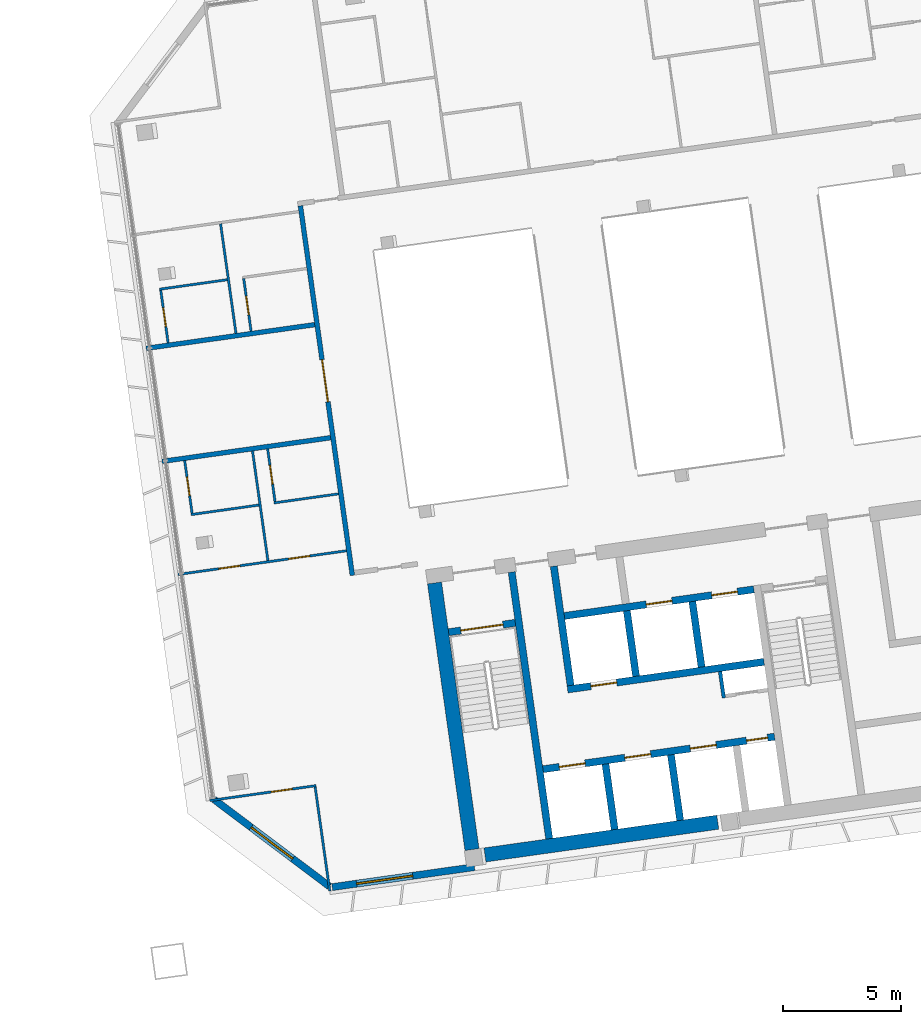
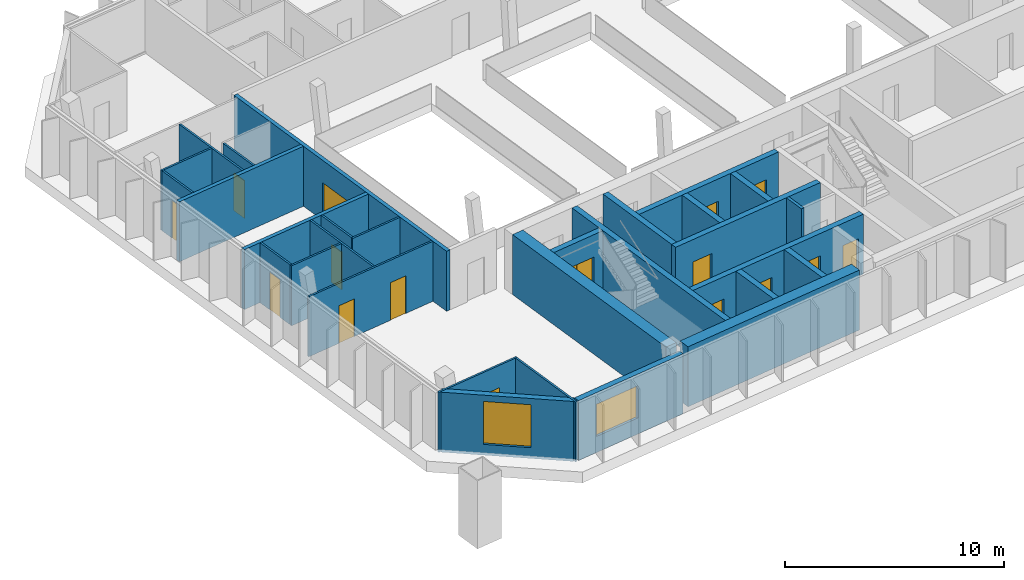
# One storey, part 17 of 23: 30 walls, 16 doors, 2 windows, 18 openings.
"""IFC4 building model written with IfcOpenShell, lengths in metres."""

from ifc_helpers import new_model, si_unit, direction, frame, frame_2d, origin, place, context, subcontext, project, spatial, rectangle, extrude, material, layer, layer_set, type_object, element, fill, save


model = new_model("IFC4")

# Units and contexts
model_context = context("Model", 3, precision=1e-05, world=origin(), true_north=direction((0.0, 1.0)))
body_context = subcontext(model_context, "Body", "Model", "MODEL_VIEW")
ifc_project = project(units=[si_unit("LENGTHUNIT", "METRE"), si_unit("AREAUNIT", "SQUARE_METRE"), si_unit("VOLUMEUNIT", "CUBIC_METRE"), si_unit("PLANEANGLEUNIT", "RADIAN"), si_unit("MASSUNIT", "GRAM", prefix="KILO")], contexts=[model_context])

# Site, building, storey
site_placement = place(None, origin())
site = spatial("IfcSite", under=ifc_project, at=site_placement, CompositionType="ELEMENT")
building_placement = place(site_placement, origin())
building = spatial("IfcBuilding", under=site, at=building_placement, Name="Mirante Cascada Hotel Towers", CompositionType="ELEMENT")
storey_placement = place(building_placement, frame((0.0, 0.0, 220.4)))
storey = spatial("IfcBuildingStorey", under=building, at=storey_placement, Name="L52", CompositionType="ELEMENT", Elevation=220.4)

# Walls
ifc_material_1 = material(Name="Fire-rated plasterboard on metal studs")
ifc_layer_1 = layer(ifc_material_1, 0.2)
ifc_layer_set_1 = layer_set([ifc_layer_1], Name="Compartment wall 200 EI 120")
wall_type_1 = type_object("IfcWallType", Name="Compartment wall 200 EI 120", PredefinedType="PARTITIONING", material=ifc_layer_set_1)
wall_1_placement = place(storey_placement, frame((24.4481, -2.7803, 0.0), z_axis=(0.0, 0.0, 1.0), x_axis=(0.990267, 0.1391811, 0.0)))
element("IfcWall", 1, at=wall_1_placement, inside=storey, type_object=wall_type_1, Name="Wall 2-L52-09", PredefinedType="PARTITIONING", context=body_context, shape_type="SweptSolid", body=[
    extrude(rectangle(XDim=7.2064, YDim=0.2, at=frame_2d((3.6032, 0.0))), origin(), (0.0, 0.0, 1.0), 3.35),
])
wall_2_placement = place(storey_placement, frame((30.9118, 3.0089, 0.0), z_axis=(0.0, 0.0, 1.0), x_axis=(-0.9902691, -0.1391655, 0.0)))
element("IfcWall", 2, at=wall_2_placement, inside=storey, type_object=wall_type_1, Name="Wall 2-L52-10", PredefinedType="PARTITIONING", context=body_context, shape_type="SweptSolid", body=[
    extrude(rectangle(XDim=7.2065, YDim=0.2, at=frame_2d((3.6032, 0.0))), origin(), (0.0, 0.0, 1.0), 3.35),
])

# Wall, opening, door
wall_3_placement = place(storey_placement, frame((30.3056, 8.0402, 0.0), z_axis=(0.0, 0.0, 1.0), x_axis=(0.1391774, -0.9902675, 0.0)))
wall_3 = element("IfcWall", 3, at=wall_3_placement, inside=storey, type_object=wall_type_1, Name="Wall 2-L52-36", PredefinedType="PARTITIONING", context=body_context, shape_type="SweptSolid", body=[
    extrude(rectangle(XDim=15.8, YDim=0.2, at=frame_2d((7.9, 0.0))), origin(), (0.0, 0.0, 1.0), 3.35),
])
opening_1_placement = place(wall_3_placement, frame((6.5834, 0.0, 0.0)))
opening_1 = element("IfcOpeningElement", 4, at=opening_1_placement, cuts=wall_3, Name="Opening D2-L52-24", PredefinedType="OPENING", context=body_context, shape_type="SweptSolid", body=[
    extrude(rectangle(XDim=1.8, YDim=2.1, at=frame_2d((0.9, 1.05))), frame((0.0, 0.1, 0.0), z_axis=(0.0, -1.0, 0.0), x_axis=(1.0, 0.0, 0.0)), (0.0, 0.0, 1.0), 0.2),
])
ifc_material_2 = material(Name="Fire-rated timber door leaf", Category="wood")
door_type_1 = type_object("IfcDoorType", Name="Suite double door DG2 1800x2100 EI 60", OperationType="DOUBLE_DOOR_SINGLE_SWING", PredefinedType="DOOR", material=ifc_material_2)
door_1_placement = place(opening_1_placement, origin())
door_1 = element("IfcDoor", 5, at=door_1_placement, inside=storey, type_object=door_type_1, Name="Door D2-L52-24", OperationType="DOUBLE_DOOR_SINGLE_SWING", OverallHeight=2.1, OverallWidth=1.8, PredefinedType="DOOR", context=body_context, shape_type="SweptSolid", body=[
    extrude(rectangle(XDim=0.895, YDim=2.1, at=frame_2d((0.4475, 1.05))), frame((0.0, 0.025, 0.0), z_axis=(0.0, -1.0, 0.0), x_axis=(1.0, 0.0, 0.0)), (0.0, 0.0, 1.0), 0.05),
    extrude(rectangle(XDim=0.895, YDim=2.1, at=frame_2d((1.3525, 1.05))), frame((0.0, 0.025, 0.0), z_axis=(0.0, -1.0, 0.0), x_axis=(1.0, 0.0, 0.0)), (0.0, 0.0, 1.0), 0.05),
])
fill(opening_1, door_1)

# Wall
ifc_material_3 = material(Name="Masonry block", Category="masonry")
ifc_layer_2 = layer(ifc_material_3, 0.15)
ifc_layer_set_2 = layer_set([ifc_layer_2], Name="Core room partition 150 block EI 30")
wall_type_2 = type_object("IfcWallType", Name="Core room partition 150 block EI 30", PredefinedType="PARTITIONING", material=ifc_layer_set_2)
wall_4_placement = place(storey_placement, frame((48.2295, -12.793, 0.0), z_axis=(0.0, 0.0, 1.0), x_axis=(-0.1391935, 0.9902652, 0.0)))
element("IfcWall", 6, at=wall_4_placement, inside=storey, type_object=wall_type_2, Name="Core wall partition T2 L52 2", PredefinedType="PARTITIONING", context=body_context, shape_type="SweptSolid", body=[
    extrude(rectangle(XDim=1.1251, YDim=0.15, at=frame_2d((0.5626, 0.0))), origin(), (0.0, 0.0, 1.0), 3.35),
])

# Wall, opening, door
ifc_material_4 = material(Name="Plasterboard on metal studs")
ifc_layer_3 = layer(ifc_material_4, 0.1)
ifc_layer_set_3 = layer_set([ifc_layer_3], Name="Partition 100")
wall_type_3 = type_object("IfcWallType", Name="Partition 100", PredefinedType="PARTITIONING", material=ifc_layer_set_3)
wall_5_placement = place(storey_placement, frame((26.4661, -17.1392, 0.0), z_axis=(0.0, 0.0, 1.0), x_axis=(0.9902661, 0.1391871, 0.0)))
wall_5 = element("IfcWall", 7, at=wall_5_placement, inside=storey, type_object=wall_type_3, Name="Wall 2-L52-01", PredefinedType="PARTITIONING", context=body_context, shape_type="SweptSolid", body=[
    extrude(rectangle(XDim=4.55, YDim=0.1, at=frame_2d((2.275, 0.0))), origin(), (0.0, 0.0, 1.0), 3.35),
])
opening_2_placement = place(wall_5_placement, frame((2.6326, 0.0, 0.0)))
opening_2 = element("IfcOpeningElement", 8, at=opening_2_placement, cuts=wall_5, Name="Opening D2-L52-01", PredefinedType="OPENING", context=body_context, shape_type="SweptSolid", body=[
    extrude(rectangle(XDim=0.9, YDim=2.1, at=frame_2d((0.45, 1.05))), frame((0.0, 0.05, 0.0), z_axis=(0.0, -1.0, 0.0), x_axis=(1.0, 0.0, 0.0)), (0.0, 0.0, 1.0), 0.1),
])
ifc_material_5 = material(Name="Timber door leaf", Category="wood")
door_type_2 = type_object("IfcDoorType", Name="Room door DG3 900x2100", OperationType="SINGLE_SWING_LEFT", PredefinedType="DOOR", material=ifc_material_5)
door_2_placement = place(opening_2_placement, origin())
door_2 = element("IfcDoor", 9, at=door_2_placement, inside=storey, type_object=door_type_2, Name="Door D2-L52-01", OperationType="SINGLE_SWING_LEFT", OverallHeight=2.1, OverallWidth=0.9, PredefinedType="DOOR", context=body_context, shape_type="SweptSolid", body=[
    extrude(rectangle(XDim=0.9, YDim=2.1, at=frame_2d((0.45, 1.05))), frame((0.0, 0.025, 0.0), z_axis=(0.0, -1.0, 0.0), x_axis=(1.0, 0.0, 0.0)), (0.0, 0.0, 1.0), 0.05),
])
fill(opening_2, door_2)

# Wall, openings, doors
wall_6_placement = place(storey_placement, frame((25.1207, -7.5665, 0.0), z_axis=(0.0, 0.0, 1.0), x_axis=(0.9902691, 0.1391655, 0.0)))
wall_6 = element("IfcWall", 10, at=wall_6_placement, inside=storey, type_object=wall_type_3, Name="Wall 2-L52-05", PredefinedType="PARTITIONING", context=body_context, shape_type="SweptSolid", body=[
    extrude(rectangle(XDim=7.2065, YDim=0.1, at=frame_2d((3.6032, 0.0))), origin(), (0.0, 0.0, 1.0), 3.35),
])
opening_3_placement = place(wall_6_placement, frame((1.75, 0.0, 0.0)))
opening_3 = element("IfcOpeningElement", 11, at=opening_3_placement, cuts=wall_6, Name="Opening D2-L52-03", PredefinedType="OPENING", context=body_context, shape_type="SweptSolid", body=[
    extrude(rectangle(XDim=0.9, YDim=2.1, at=frame_2d((0.45, 1.05))), frame((0.0, 0.05, 0.0), z_axis=(0.0, -1.0, 0.0), x_axis=(1.0, 0.0, 0.0)), (0.0, 0.0, 1.0), 0.1),
])
opening_4_placement = place(wall_6_placement, frame((4.7299, 0.0, 0.0)))
opening_4 = element("IfcOpeningElement", 12, at=opening_4_placement, cuts=wall_6, Name="Opening D2-L52-04", PredefinedType="OPENING", context=body_context, shape_type="SweptSolid", body=[
    extrude(rectangle(XDim=0.9, YDim=2.1, at=frame_2d((0.45, 1.05))), frame((0.0, 0.05, 0.0), z_axis=(0.0, -1.0, 0.0), x_axis=(1.0, 0.0, 0.0)), (0.0, 0.0, 1.0), 0.1),
])
door_3_placement = place(opening_3_placement, frame((0.9, 0.0, 0.0), z_axis=(0.0, 0.0, 1.0), x_axis=(-1.0, 0.0, 0.0)))
door_3 = element("IfcDoor", 13, at=door_3_placement, inside=storey, type_object=door_type_2, Name="Door D2-L52-03", OperationType="SINGLE_SWING_RIGHT", OverallHeight=2.1, OverallWidth=0.9, PredefinedType="DOOR", context=body_context, shape_type="SweptSolid", body=[
    extrude(rectangle(XDim=0.9, YDim=2.1, at=frame_2d((0.45, 1.05))), frame((0.0, 0.025, 0.0), z_axis=(0.0, -1.0, 0.0), x_axis=(1.0, 0.0, 0.0)), (0.0, 0.0, 1.0), 0.05),
])
fill(opening_3, door_3)
door_4_placement = place(opening_4_placement, frame((0.9, 0.0, 0.0), z_axis=(0.0, 0.0, 1.0), x_axis=(-1.0, 0.0, 0.0)))
door_4 = element("IfcDoor", 14, at=door_4_placement, inside=storey, type_object=door_type_2, Name="Door D2-L52-04", OperationType="SINGLE_SWING_RIGHT", OverallHeight=2.1, OverallWidth=0.9, PredefinedType="DOOR", context=body_context, shape_type="SweptSolid", body=[
    extrude(rectangle(XDim=0.9, YDim=2.1, at=frame_2d((0.45, 1.05))), frame((0.0, 0.025, 0.0), z_axis=(0.0, -1.0, 0.0), x_axis=(1.0, 0.0, 0.0)), (0.0, 0.0, 1.0), 0.05),
])
fill(opening_4, door_4)

# Walls
wall_7_placement = place(storey_placement, frame((25.6765, -5.0312, 0.0), z_axis=(0.0, 0.0, 1.0), x_axis=(0.9902683, 0.1391714, 0.0)))
element("IfcWall", 15, at=wall_7_placement, inside=storey, type_object=wall_type_3, Name="Wall 2-L52-07", PredefinedType="PARTITIONING", context=body_context, shape_type="SweptSolid", body=[
    extrude(rectangle(XDim=2.9, YDim=0.1, at=frame_2d((1.45, 0.0))), origin(), (0.0, 0.0, 1.0), 3.35),
])
wall_8_placement = place(storey_placement, frame((31.9184, -4.154, 0.0), z_axis=(0.0, 0.0, 1.0), x_axis=(-0.9902691, -0.1391659, 0.0)))
element("IfcWall", 16, at=wall_8_placement, inside=storey, type_object=wall_type_3, Name="Wall 2-L52-08", PredefinedType="PARTITIONING", context=body_context, shape_type="SweptSolid", body=[
    extrude(rectangle(XDim=2.7564, YDim=0.1, at=frame_2d((1.3782, 0.0))), origin(), (0.0, 0.0, 1.0), 3.35),
])
wall_9_placement = place(storey_placement, frame((27.2076, 4.9119, 0.0), z_axis=(0.0, 0.0, 1.0), x_axis=(-0.9902683, -0.1391714, 0.0)))
element("IfcWall", 17, at=wall_9_placement, inside=storey, type_object=wall_type_3, Name="Wall 2-L52-12", PredefinedType="PARTITIONING", context=body_context, shape_type="SweptSolid", body=[
    extrude(rectangle(XDim=2.9, YDim=0.1, at=frame_2d((1.45, 0.0))), origin(), (0.0, 0.0, 1.0), 3.35),
])

# Wall, opening, door
wall_10_placement = place(storey_placement, frame((25.4059, -2.7466, 0.0), z_axis=(0.0, 0.0, 1.0), x_axis=(0.1391561, -0.9902705, 0.0)))
wall_10 = element("IfcWall", 18, at=wall_10_placement, inside=storey, type_object=wall_type_3, Name="Wall 2-L52-28", PredefinedType="PARTITIONING", context=body_context, shape_type="SweptSolid", body=[
    extrude(rectangle(XDim=2.25, YDim=0.1, at=frame_2d((1.125, 0.0))), origin(), (0.0, 0.0, 1.0), 3.35),
])
opening_5_placement = place(wall_10_placement, frame((0.7, 0.0, 0.0)))
opening_5 = element("IfcOpeningElement", 19, at=opening_5_placement, cuts=wall_10, Name="Opening D2-L52-20", PredefinedType="OPENING", context=body_context, shape_type="SweptSolid", body=[
    extrude(rectangle(XDim=0.8, YDim=2.1, at=frame_2d((0.4, 1.05))), frame((0.0, 0.05, 0.0), z_axis=(0.0, -1.0, 0.0), x_axis=(1.0, 0.0, 0.0)), (0.0, 0.0, 1.0), 0.1),
])
ifc_material_6 = material(Name="Timber door leaf", Category="wood")
door_type_3 = type_object("IfcDoorType", Name="Bathroom door DG4 800x2100", OperationType="SINGLE_SWING_LEFT", PredefinedType="DOOR", material=ifc_material_6)
door_5_placement = place(opening_5_placement, origin())
door_5 = element("IfcDoor", 20, at=door_5_placement, inside=storey, type_object=door_type_3, Name="Door D2-L52-20", OperationType="SINGLE_SWING_LEFT", OverallHeight=2.1, OverallWidth=0.8, PredefinedType="DOOR", context=body_context, shape_type="SweptSolid", body=[
    extrude(rectangle(XDim=0.8, YDim=2.1, at=frame_2d((0.4, 1.05))), frame((0.0, 0.025, 0.0), z_axis=(0.0, -1.0, 0.0), x_axis=(1.0, 0.0, 0.0)), (0.0, 0.0, 1.0), 0.05),
])
fill(opening_5, door_5)

wall_11_placement = place(storey_placement, frame((24.7054, 2.2377, 0.0), z_axis=(0.0, 0.0, 1.0), x_axis=(-0.1391561, 0.9902705, 0.0)))
wall_11 = element("IfcWall", 21, at=wall_11_placement, inside=storey, type_object=wall_type_3, Name="Wall 2-L52-29", PredefinedType="PARTITIONING", context=body_context, shape_type="SweptSolid", body=[
    extrude(rectangle(XDim=2.25, YDim=0.1, at=frame_2d((1.125, 0.0))), origin(), (0.0, 0.0, 1.0), 3.35),
])
opening_6_placement = place(wall_11_placement, frame((0.7, 0.0, 0.0)))
opening_6 = element("IfcOpeningElement", 22, at=opening_6_placement, cuts=wall_11, Name="Opening D2-L52-21", PredefinedType="OPENING", context=body_context, shape_type="SweptSolid", body=[
    extrude(rectangle(XDim=0.8, YDim=2.1, at=frame_2d((0.4, 1.05))), frame((0.0, 0.05, 0.0), z_axis=(0.0, -1.0, 0.0), x_axis=(1.0, 0.0, 0.0)), (0.0, 0.0, 1.0), 0.1),
])
door_6_placement = place(opening_6_placement, frame((0.8, 0.0, 0.0), z_axis=(0.0, 0.0, 1.0), x_axis=(-1.0, 0.0, 0.0)))
door_6 = element("IfcDoor", 23, at=door_6_placement, inside=storey, type_object=door_type_3, Name="Door D2-L52-21", OperationType="SINGLE_SWING_RIGHT", OverallHeight=2.1, OverallWidth=0.8, PredefinedType="DOOR", context=body_context, shape_type="SweptSolid", body=[
    extrude(rectangle(XDim=0.8, YDim=2.1, at=frame_2d((0.4, 1.05))), frame((0.0, 0.025, 0.0), z_axis=(0.0, -1.0, 0.0), x_axis=(1.0, 0.0, 0.0)), (0.0, 0.0, 1.0), 0.05),
])
fill(opening_6, door_6)

# Walls
for number, where, z_axis, x_axis, name in (
    (24, (28.2777, -2.343, 0.0), (0.0, 0.0, 1.0), (0.139173, -0.9902681, 0.0), "Wall 2-L52-30"),
    (25, (27.5772, 2.6413, 0.0), (0.0, 0.0, 1.0), (-0.139173, 0.9902681, 0.0), "Wall 2-L52-31"),
):
    element("IfcWall", number, at=place(storey_placement, frame(where, z_axis=z_axis, x_axis=x_axis)), inside=storey, type_object=wall_type_3, Name=name, PredefinedType="PARTITIONING", context=body_context, shape_type="SweptSolid", body=[
        extrude(rectangle(XDim=4.6834, YDim=0.1, at=frame_2d((2.3417, 0.0))), origin(), (0.0, 0.0, 1.0), 3.35),
    ])
wall_12_placement = place(storey_placement, frame((30.9292, -16.5624, 0.0), z_axis=(0.0, 0.0, 1.0), x_axis=(0.1391904, -0.9902656, 0.0)))
element("IfcWall", 26, at=wall_12_placement, inside=storey, type_object=wall_type_3, Name="Wall 2-L52-32", PredefinedType="PARTITIONING", context=body_context, shape_type="SweptSolid", body=[
    extrude(rectangle(XDim=4.45, YDim=0.1, at=frame_2d((2.225, 0.0))), origin(), (0.0, 0.0, 1.0), 3.35),
])

# Wall, opening, door
wall_13_placement = place(storey_placement, frame((29.2313, -4.4811, 0.0), z_axis=(0.0, 0.0, 1.0), x_axis=(-0.1391561, 0.9902705, 0.0)))
wall_13 = element("IfcWall", 27, at=wall_13_placement, inside=storey, type_object=wall_type_3, Name="Wall 2-L52-33", PredefinedType="PARTITIONING", context=body_context, shape_type="SweptSolid", body=[
    extrude(rectangle(XDim=2.25, YDim=0.1, at=frame_2d((1.125, 0.0))), origin(), (0.0, 0.0, 1.0), 3.35),
])
opening_7_placement = place(wall_13_placement, frame((0.75, 0.0, 0.0)))
opening_7 = element("IfcOpeningElement", 28, at=opening_7_placement, cuts=wall_13, Name="Opening D2-L52-22", PredefinedType="OPENING", context=body_context, shape_type="SweptSolid", body=[
    extrude(rectangle(XDim=0.8, YDim=2.1, at=frame_2d((0.4, 1.05))), frame((0.0, 0.05, 0.0), z_axis=(0.0, -1.0, 0.0), x_axis=(1.0, 0.0, 0.0)), (0.0, 0.0, 1.0), 0.1),
])
door_7_placement = place(opening_7_placement, frame((0.8, 0.0, 0.0), z_axis=(0.0, 0.0, 1.0), x_axis=(-1.0, 0.0, 0.0)))
door_7 = element("IfcDoor", 29, at=door_7_placement, inside=storey, type_object=door_type_3, Name="Door D2-L52-22", OperationType="SINGLE_SWING_RIGHT", OverallHeight=2.1, OverallWidth=0.8, PredefinedType="DOOR", context=body_context, shape_type="SweptSolid", body=[
    extrude(rectangle(XDim=0.8, YDim=2.1, at=frame_2d((0.4, 1.05))), frame((0.0, 0.025, 0.0), z_axis=(0.0, -1.0, 0.0), x_axis=(1.0, 0.0, 0.0)), (0.0, 0.0, 1.0), 0.05),
])
fill(opening_7, door_7)

wall_14_placement = place(storey_placement, frame((27.9045, 4.9594, 0.0), z_axis=(0.0, 0.0, 1.0), x_axis=(0.1391997, -0.9902643, 0.0)))
wall_14 = element("IfcWall", 30, at=wall_14_placement, inside=storey, type_object=wall_type_3, Name="Wall 2-L52-34", PredefinedType="PARTITIONING", context=body_context, shape_type="SweptSolid", body=[
    extrude(rectangle(XDim=2.25, YDim=0.1, at=frame_2d((1.125, 0.0))), origin(), (0.0, 0.0, 1.0), 3.35),
])
opening_8_placement = place(wall_14_placement, frame((0.75, 0.0, 0.0)))
opening_8 = element("IfcOpeningElement", 31, at=opening_8_placement, cuts=wall_14, Name="Opening D2-L52-23", PredefinedType="OPENING", context=body_context, shape_type="SweptSolid", body=[
    extrude(rectangle(XDim=0.8, YDim=2.1, at=frame_2d((0.4, 1.05))), frame((0.0, 0.05, 0.0), z_axis=(0.0, -1.0, 0.0), x_axis=(1.0, 0.0, 0.0)), (0.0, 0.0, 1.0), 0.1),
])
door_8_placement = place(opening_8_placement, origin())
door_8 = element("IfcDoor", 32, at=door_8_placement, inside=storey, type_object=door_type_3, Name="Door D2-L52-23", OperationType="SINGLE_SWING_LEFT", OverallHeight=2.1, OverallWidth=0.8, PredefinedType="DOOR", context=body_context, shape_type="SweptSolid", body=[
    extrude(rectangle(XDim=0.8, YDim=2.1, at=frame_2d((0.4, 1.05))), frame((0.0, 0.025, 0.0), z_axis=(0.0, -1.0, 0.0), x_axis=(1.0, 0.0, 0.0)), (0.0, 0.0, 1.0), 0.05),
])
fill(opening_8, door_8)

# Wall, opening, window
ifc_material_7 = material(Name="Precast concrete C40/50", Category="concrete")
ifc_layer_4 = layer(ifc_material_7, 0.3)
ifc_layer_set_4 = layer_set([ifc_layer_4], Name="Precast concrete C40/50 cladding wall 300")
wall_type_4 = type_object("IfcWallType", Name="Precast concrete C40/50 cladding wall 300", PredefinedType="STANDARD", material=ifc_layer_set_4)
wall_15_placement = place(storey_placement, frame((31.6506, -20.8033, 0.0), z_axis=(0.0, 0.0, 1.0), x_axis=(0.9902682, 0.1391722, 0.0)))
wall_15 = element("IfcWall", 33, at=wall_15_placement, inside=storey, type_object=wall_type_4, Name="Rear cladding wall T2 L52 1", PredefinedType="STANDARD", context=body_context, shape_type="SweptSolid", body=[
    extrude(rectangle(XDim=6.0824, YDim=0.3, at=frame_2d((3.0412, 0.0))), origin(), (0.0, 0.0, 1.0), 3.35),
])
opening_9_placement = place(wall_15_placement, frame((1.0426, 0.0, 0.9)))
opening_9 = element("IfcOpeningElement", 34, at=opening_9_placement, cuts=wall_15, Name="Opening W2-52-01", PredefinedType="OPENING", context=body_context, shape_type="SweptSolid", body=[
    extrude(rectangle(XDim=2.4, YDim=1.8, at=frame_2d((1.2, 0.9))), frame((0.0, 0.15, 0.0), z_axis=(0.0, -1.0, 0.0), x_axis=(1.0, 0.0, 0.0)), (0.0, 0.0, 1.0), 0.3),
])
ifc_material_8 = material(Name="Aluminium frame with clear double glazing", Category="aluminium")
window_type_1 = type_object("IfcWindowType", Name="Punched window 2400x1800", PartitioningType="DOUBLE_PANEL_VERTICAL", PredefinedType="WINDOW", material=ifc_material_8)
window_1_placement = place(opening_9_placement, origin())
window_1 = element("IfcWindow", 35, at=window_1_placement, inside=storey, type_object=window_type_1, Name="Window W2-52-01", OverallHeight=1.8, OverallWidth=2.4, PartitioningType="SINGLE_PANEL", PredefinedType="WINDOW", context=body_context, shape_type="SweptSolid", body=[
    extrude(rectangle(XDim=2.4, YDim=1.8, at=frame_2d((1.2, 0.9))), frame((0.0, 0.03, 0.0), z_axis=(0.0, -1.0, 0.0), x_axis=(1.0, 0.0, 0.0)), (0.0, 0.0, 1.0), 0.06),
])
fill(opening_9, window_1)

wall_16_placement = place(storey_placement, frame((26.6555, -17.0941, 0.0), z_axis=(0.0, 0.0, 1.0), x_axis=(0.7986362, -0.6018141, 0.0)))
wall_16 = element("IfcWall", 36, at=wall_16_placement, inside=storey, type_object=wall_type_4, Name="Corner cladding wall T2 L52 inner rear", PredefinedType="STANDARD", context=body_context, shape_type="SweptSolid", body=[
    extrude(rectangle(XDim=6.1157, YDim=0.3, at=frame_2d((3.0578, 0.0))), origin(), (0.0, 0.0, 1.0), 3.35),
])
opening_10_placement = place(wall_16_placement, frame((1.9578, 0.0, 0.6)))
opening_10 = element("IfcOpeningElement", 37, at=opening_10_placement, cuts=wall_16, Name="Opening W2-52-05", PredefinedType="OPENING", context=body_context, shape_type="SweptSolid", body=[
    extrude(rectangle(XDim=2.2, YDim=2.4, at=frame_2d((1.1, 1.2))), frame((0.0, 0.15, 0.0), z_axis=(0.0, -1.0, 0.0), x_axis=(1.0, 0.0, 0.0)), (0.0, 0.0, 1.0), 0.3),
])
ifc_material_9 = material(Name="Aluminium frame with clear double glazing", Category="aluminium")
window_type_2 = type_object("IfcWindowType", Name="Corner suite window 2200x2400", PartitioningType="DOUBLE_PANEL_VERTICAL", PredefinedType="WINDOW", material=ifc_material_9)
window_2_placement = place(opening_10_placement, origin())
window_2 = element("IfcWindow", 38, at=window_2_placement, inside=storey, type_object=window_type_2, Name="Window W2-52-05", OverallHeight=2.4, OverallWidth=2.2, PartitioningType="SINGLE_PANEL", PredefinedType="WINDOW", context=body_context, shape_type="SweptSolid", body=[
    extrude(rectangle(XDim=2.2, YDim=2.4, at=frame_2d((1.1, 1.2))), frame((0.0, 0.03, 0.0), z_axis=(0.0, -1.0, 0.0), x_axis=(1.0, 0.0, 0.0)), (0.0, 0.0, 1.0), 0.06),
])
fill(opening_10, window_2)

# Wall
ifc_material_10 = material(Name="Concrete C50/60", Category="concrete")
ifc_layer_5 = layer(ifc_material_10, 0.3)
ifc_layer_set_5 = layer_set([ifc_layer_5], Name="RC core wall 300 C50/60")
wall_type_5 = type_object("IfcWallType", Name="RC core wall 300 C50/60", PredefinedType="SHEAR", material=ifc_layer_set_5)
wall_17_placement = place(storey_placement, frame((40.8373, -18.7548, 0.0), z_axis=(0.0, 0.0, 1.0), x_axis=(-0.1391749, 0.9902678, 0.0)))
element("IfcWall", 39, at=wall_17_placement, inside=storey, type_object=wall_type_5, Name="Core wall T2:L52:5", PredefinedType="SHEAR", context=body_context, shape_type="SweptSolid", body=[
    extrude(rectangle(XDim=11.4, YDim=0.3, at=frame_2d((5.7, 0.0))), origin(), (0.0, 0.0, 1.0), 3.35),
])

# Wall, opening, door
wall_18_placement = place(storey_placement, frame((36.5791, -10.0123, 0.0), z_axis=(0.0, 0.0, 1.0), x_axis=(0.9902704, 0.1391564, 0.0)))
wall_18 = element("IfcWall", 40, at=wall_18_placement, inside=storey, type_object=wall_type_5, Name="Core wall T2:L52:8", PredefinedType="SHEAR", context=body_context, shape_type="SweptSolid", body=[
    extrude(rectangle(XDim=2.85, YDim=0.3, at=frame_2d((1.425, 0.0))), origin(), (0.0, 0.0, 1.0), 3.35),
])
opening_11_placement = place(wall_18_placement, frame((0.525, 0.0, 0.0)))
opening_11 = element("IfcOpeningElement", 41, at=opening_11_placement, cuts=wall_18, Name="Opening D2-52-C07", PredefinedType="OPENING", context=body_context, shape_type="SweptSolid", body=[
    extrude(rectangle(XDim=1.8, YDim=2.1, at=frame_2d((0.9, 1.05))), frame((0.0, 0.15, 0.0), z_axis=(0.0, -1.0, 0.0), x_axis=(1.0, 0.0, 0.0)), (0.0, 0.0, 1.0), 0.3),
])
ifc_material_11 = material(Name="Hollow metal fire door leaf")
door_type_4 = type_object("IfcDoorType", Name="Double fire door 1800x2100 FD60", OperationType="DOUBLE_DOOR_SINGLE_SWING", PredefinedType="DOOR", material=ifc_material_11)
door_9_placement = place(opening_11_placement, frame((1.8, 0.0, 0.0), z_axis=(0.0, 0.0, 1.0), x_axis=(-1.0, 0.0, 0.0)))
door_9 = element("IfcDoor", 42, at=door_9_placement, inside=storey, type_object=door_type_4, Name="Stair door T2 L52 7", OperationType="DOUBLE_DOOR_SINGLE_SWING", OverallHeight=2.1, OverallWidth=1.8, PredefinedType="DOOR", context=body_context, shape_type="SweptSolid", body=[
    extrude(rectangle(XDim=0.895, YDim=2.1, at=frame_2d((0.4475, 1.05))), frame((0.0, 0.025, 0.0), z_axis=(0.0, -1.0, 0.0), x_axis=(1.0, 0.0, 0.0)), (0.0, 0.0, 1.0), 0.05),
    extrude(rectangle(XDim=0.895, YDim=2.1, at=frame_2d((1.3525, 1.05))), frame((0.0, 0.025, 0.0), z_axis=(0.0, -1.0, 0.0), x_axis=(1.0, 0.0, 0.0)), (0.0, 0.0, 1.0), 0.05),
])
fill(opening_11, door_9)

# Wall, openings, doors
wall_19_placement = place(storey_placement, frame((40.5753, -15.8126, 0.0), z_axis=(0.0, 0.0, 1.0), x_axis=(0.9902682, 0.1391725, 0.0)))
wall_19 = element("IfcWall", 43, at=wall_19_placement, inside=storey, type_object=wall_type_5, Name="Core wall T2:L52:10", PredefinedType="SHEAR", context=body_context, shape_type="SweptSolid", body=[
    extrude(rectangle(XDim=9.8999, YDim=0.3, at=frame_2d((4.95, 0.0))), origin(), (0.0, 0.0, 1.0), 3.35),
])
opening_12_placement = place(wall_19_placement, frame((0.7, 0.0, 0.0)))
opening_12 = element("IfcOpeningElement", 44, at=opening_12_placement, cuts=wall_19, Name="Opening LD", PredefinedType="OPENING", context=body_context, shape_type="SweptSolid", body=[
    extrude(rectangle(XDim=1.1, YDim=2.1, at=frame_2d((0.55, 1.05))), frame((0.0, 0.15, 0.0), z_axis=(0.0, -1.0, 0.0), x_axis=(1.0, 0.0, 0.0)), (0.0, 0.0, 1.0), 0.3),
])
opening_13_placement = place(wall_19_placement, frame((3.5, 0.0, 0.0)))
opening_13 = element("IfcOpeningElement", 45, at=opening_13_placement, cuts=wall_19, Name="Opening LD", PredefinedType="OPENING", context=body_context, shape_type="SweptSolid", body=[
    extrude(rectangle(XDim=1.1, YDim=2.1, at=frame_2d((0.55, 1.05))), frame((0.0, 0.15, 0.0), z_axis=(0.0, -1.0, 0.0), x_axis=(1.0, 0.0, 0.0)), (0.0, 0.0, 1.0), 0.3),
])
opening_14_placement = place(wall_19_placement, frame((6.3, 0.0, 0.0)))
opening_14 = element("IfcOpeningElement", 46, at=opening_14_placement, cuts=wall_19, Name="Opening LD", PredefinedType="OPENING", context=body_context, shape_type="SweptSolid", body=[
    extrude(rectangle(XDim=1.1, YDim=2.1, at=frame_2d((0.55, 1.05))), frame((0.0, 0.15, 0.0), z_axis=(0.0, -1.0, 0.0), x_axis=(1.0, 0.0, 0.0)), (0.0, 0.0, 1.0), 0.3),
])
opening_15_placement = place(wall_19_placement, frame((8.7, 0.0, 0.0)))
opening_15 = element("IfcOpeningElement", 47, at=opening_15_placement, cuts=wall_19, Name="Opening D2-52-C14", PredefinedType="OPENING", context=body_context, shape_type="SweptSolid", body=[
    extrude(rectangle(XDim=0.9, YDim=2.1, at=frame_2d((0.45, 1.05))), frame((0.0, 0.15, 0.0), z_axis=(0.0, -1.0, 0.0), x_axis=(1.0, 0.0, 0.0)), (0.0, 0.0, 1.0), 0.3),
])
ifc_material_12 = material(Name="Hollow metal fire door leaf")
door_type_5 = type_object("IfcDoorType", Name="Fire door 900x2100 FD60", OperationType="NOTDEFINED", PredefinedType="DOOR", material=ifc_material_12)
door_10_placement = place(opening_15_placement, frame((0.9, 0.0, 0.0), z_axis=(0.0, 0.0, 1.0), x_axis=(-1.0, 0.0, 0.0)))
door_10 = element("IfcDoor", 48, at=door_10_placement, inside=storey, type_object=door_type_5, Name="Riser door T2 L52 14", OperationType="SINGLE_SWING_RIGHT", OverallHeight=2.1, OverallWidth=0.9, PredefinedType="DOOR", context=body_context, shape_type="SweptSolid", body=[
    extrude(rectangle(XDim=0.9, YDim=2.1, at=frame_2d((0.45, 1.05))), frame((0.0, 0.025, 0.0), z_axis=(0.0, -1.0, 0.0), x_axis=(1.0, 0.0, 0.0)), (0.0, 0.0, 1.0), 0.05),
])
fill(opening_15, door_10)
ifc_material_13 = material(Name="Stainless steel", Category="steel")
door_type_6 = type_object("IfcDoorType", Name="Lift landing door 1100x2100 EI 120", OperationType="DOUBLE_DOOR_SLIDING", PredefinedType="DOOR", material=ifc_material_13)
door_11_placement = place(opening_12_placement, origin())
door_11 = element("IfcDoor", 49, at=door_11_placement, inside=storey, type_object=door_type_6, Name="Lift landing door HR2-1 L52", OperationType="DOUBLE_DOOR_SLIDING", OverallHeight=2.1, OverallWidth=1.1, PredefinedType="DOOR", context=body_context, shape_type="SweptSolid", body=[
    extrude(rectangle(XDim=0.545, YDim=2.1, at=frame_2d((0.2725, 1.05))), frame((0.0, 0.025, 0.0), z_axis=(0.0, -1.0, 0.0), x_axis=(1.0, 0.0, 0.0)), (0.0, 0.0, 1.0), 0.05),
    extrude(rectangle(XDim=0.545, YDim=2.1, at=frame_2d((0.8275, 1.05))), frame((0.0, 0.025, 0.0), z_axis=(0.0, -1.0, 0.0), x_axis=(1.0, 0.0, 0.0)), (0.0, 0.0, 1.0), 0.05),
])
fill(opening_12, door_11)
door_12_placement = place(opening_13_placement, origin())
door_12 = element("IfcDoor", 50, at=door_12_placement, inside=storey, type_object=door_type_6, Name="Lift landing door HR2-2 L52", OperationType="DOUBLE_DOOR_SLIDING", OverallHeight=2.1, OverallWidth=1.1, PredefinedType="DOOR", context=body_context, shape_type="SweptSolid", body=[
    extrude(rectangle(XDim=0.545, YDim=2.1, at=frame_2d((0.2725, 1.05))), frame((0.0, 0.025, 0.0), z_axis=(0.0, -1.0, 0.0), x_axis=(1.0, 0.0, 0.0)), (0.0, 0.0, 1.0), 0.05),
    extrude(rectangle(XDim=0.545, YDim=2.1, at=frame_2d((0.8275, 1.05))), frame((0.0, 0.025, 0.0), z_axis=(0.0, -1.0, 0.0), x_axis=(1.0, 0.0, 0.0)), (0.0, 0.0, 1.0), 0.05),
])
fill(opening_13, door_12)
door_13_placement = place(opening_14_placement, origin())
door_13 = element("IfcDoor", 51, at=door_13_placement, inside=storey, type_object=door_type_6, Name="Lift landing door HR2-3 L52", OperationType="DOUBLE_DOOR_SLIDING", OverallHeight=2.1, OverallWidth=1.1, PredefinedType="DOOR", context=body_context, shape_type="SweptSolid", body=[
    extrude(rectangle(XDim=0.545, YDim=2.1, at=frame_2d((0.2725, 1.05))), frame((0.0, 0.025, 0.0), z_axis=(0.0, -1.0, 0.0), x_axis=(1.0, 0.0, 0.0)), (0.0, 0.0, 1.0), 0.05),
    extrude(rectangle(XDim=0.545, YDim=2.1, at=frame_2d((0.8275, 1.05))), frame((0.0, 0.025, 0.0), z_axis=(0.0, -1.0, 0.0), x_axis=(1.0, 0.0, 0.0)), (0.0, 0.0, 1.0), 0.05),
])
fill(opening_14, door_13)

# Wall, opening, door
wall_20_placement = place(storey_placement, frame((41.6153, -12.435, 0.0), z_axis=(0.0, 0.0, 1.0), x_axis=(0.9902691, 0.139166, 0.0)))
wall_20 = element("IfcWall", 52, at=wall_20_placement, inside=storey, type_object=wall_type_5, Name="Core wall T2:L52:11", PredefinedType="SHEAR", context=body_context, shape_type="SweptSolid", body=[
    extrude(rectangle(XDim=8.4, YDim=0.3, at=frame_2d((4.2, 0.0))), origin(), (0.0, 0.0, 1.0), 3.35),
])
opening_16_placement = place(wall_20_placement, frame((1.0, 0.0, 0.0)))
opening_16 = element("IfcOpeningElement", 53, at=opening_16_placement, cuts=wall_20, Name="Opening LD", PredefinedType="OPENING", context=body_context, shape_type="SweptSolid", body=[
    extrude(rectangle(XDim=1.1, YDim=2.1, at=frame_2d((0.55, 1.05))), frame((0.0, 0.15, 0.0), z_axis=(0.0, -1.0, 0.0), x_axis=(1.0, 0.0, 0.0)), (0.0, 0.0, 1.0), 0.3),
])
door_14_placement = place(opening_16_placement, origin())
door_14 = element("IfcDoor", 54, at=door_14_placement, inside=storey, type_object=door_type_6, Name="Lift landing door HR2-4 L52", OperationType="DOUBLE_DOOR_SLIDING", OverallHeight=2.1, OverallWidth=1.1, PredefinedType="DOOR", context=body_context, shape_type="SweptSolid", body=[
    extrude(rectangle(XDim=0.545, YDim=2.1, at=frame_2d((0.2725, 1.05))), frame((0.0, 0.025, 0.0), z_axis=(0.0, -1.0, 0.0), x_axis=(1.0, 0.0, 0.0)), (0.0, 0.0, 1.0), 0.05),
    extrude(rectangle(XDim=0.545, YDim=2.1, at=frame_2d((0.8275, 1.05))), frame((0.0, 0.025, 0.0), z_axis=(0.0, -1.0, 0.0), x_axis=(1.0, 0.0, 0.0)), (0.0, 0.0, 1.0), 0.05),
])
fill(opening_16, door_14)

# Wall, openings, doors
wall_21_placement = place(storey_placement, frame((41.481, -9.3234, 0.0), z_axis=(0.0, 0.0, 1.0), x_axis=(0.9902679, 0.1391741, 0.0)))
wall_21 = element("IfcWall", 55, at=wall_21_placement, inside=storey, type_object=wall_type_5, Name="Core wall T2:L52:12", PredefinedType="SHEAR", context=body_context, shape_type="SweptSolid", body=[
    extrude(rectangle(XDim=8.0999, YDim=0.3, at=frame_2d((4.05, 0.0))), origin(), (0.0, 0.0, 1.0), 3.35),
])
opening_17_placement = place(wall_21_placement, frame((3.5, 0.0, 0.0)))
opening_17 = element("IfcOpeningElement", 56, at=opening_17_placement, cuts=wall_21, Name="Opening LD", PredefinedType="OPENING", context=body_context, shape_type="SweptSolid", body=[
    extrude(rectangle(XDim=1.1, YDim=2.1, at=frame_2d((0.55, 1.05))), frame((0.0, 0.15, 0.0), z_axis=(0.0, -1.0, 0.0), x_axis=(1.0, 0.0, 0.0)), (0.0, 0.0, 1.0), 0.3),
])
opening_18_placement = place(wall_21_placement, frame((6.3, 0.0, 0.0)))
opening_18 = element("IfcOpeningElement", 57, at=opening_18_placement, cuts=wall_21, Name="Opening LD", PredefinedType="OPENING", context=body_context, shape_type="SweptSolid", body=[
    extrude(rectangle(XDim=1.1, YDim=2.1, at=frame_2d((0.55, 1.05))), frame((0.0, 0.15, 0.0), z_axis=(0.0, -1.0, 0.0), x_axis=(1.0, 0.0, 0.0)), (0.0, 0.0, 1.0), 0.3),
])
door_15_placement = place(opening_17_placement, origin())
door_15 = element("IfcDoor", 58, at=door_15_placement, inside=storey, type_object=door_type_6, Name="Lift landing door FF3 L52", OperationType="DOUBLE_DOOR_SLIDING", OverallHeight=2.1, OverallWidth=1.1, PredefinedType="DOOR", context=body_context, shape_type="SweptSolid", body=[
    extrude(rectangle(XDim=0.545, YDim=2.1, at=frame_2d((0.2725, 1.05))), frame((0.0, 0.025, 0.0), z_axis=(0.0, -1.0, 0.0), x_axis=(1.0, 0.0, 0.0)), (0.0, 0.0, 1.0), 0.05),
    extrude(rectangle(XDim=0.545, YDim=2.1, at=frame_2d((0.8275, 1.05))), frame((0.0, 0.025, 0.0), z_axis=(0.0, -1.0, 0.0), x_axis=(1.0, 0.0, 0.0)), (0.0, 0.0, 1.0), 0.05),
])
fill(opening_17, door_15)
door_16_placement = place(opening_18_placement, origin())
door_16 = element("IfcDoor", 59, at=door_16_placement, inside=storey, type_object=door_type_6, Name="Lift landing door FF4 L52", OperationType="DOUBLE_DOOR_SLIDING", OverallHeight=2.1, OverallWidth=1.1, PredefinedType="DOOR", context=body_context, shape_type="SweptSolid", body=[
    extrude(rectangle(XDim=0.545, YDim=2.1, at=frame_2d((0.2725, 1.05))), frame((0.0, 0.025, 0.0), z_axis=(0.0, -1.0, 0.0), x_axis=(1.0, 0.0, 0.0)), (0.0, 0.0, 1.0), 0.05),
    extrude(rectangle(XDim=0.545, YDim=2.1, at=frame_2d((0.8275, 1.05))), frame((0.0, 0.025, 0.0), z_axis=(0.0, -1.0, 0.0), x_axis=(1.0, 0.0, 0.0)), (0.0, 0.0, 1.0), 0.05),
])
fill(opening_18, door_16)

# Walls
wall_22_placement = place(storey_placement, frame((43.61, -18.3651, 0.0), z_axis=(0.0, 0.0, 1.0), x_axis=(-0.1391459, 0.9902719, 0.0)))
element("IfcWall", 60, at=wall_22_placement, inside=storey, type_object=wall_type_5, Name="Core wall T2:L52:13", PredefinedType="SHEAR", context=body_context, shape_type="SweptSolid", body=[
    extrude(rectangle(XDim=2.7999, YDim=0.3, at=frame_2d((1.4, 0.0))), origin(), (0.0, 0.0, 1.0), 3.35),
])
for number, where, z_axis, x_axis, name in (
    (61, (46.3828, -17.9754, 0.0), (0.0, 0.0, 1.0), (-0.139181, 0.990267, 0.0), "Core wall T2:L52:14"),
    (62, (44.5157, -11.8759, 0.0), (0.0, 0.0, 1.0), (-0.139181, 0.990267, 0.0), "Core wall T2:L52:16"),
    (63, (47.2885, -11.4862, 0.0), (0.0, 0.0, 1.0), (-0.139181, 0.990267, 0.0), "Core wall T2:L52:17"),
):
    element("IfcWall", number, at=place(storey_placement, frame(where, z_axis=z_axis, x_axis=x_axis)), inside=storey, type_object=wall_type_5, Name=name, PredefinedType="SHEAR", context=body_context, shape_type="SweptSolid", body=[
        extrude(rectangle(XDim=2.8, YDim=0.3, at=frame_2d((1.4, 0.0))), origin(), (0.0, 0.0, 1.0), 3.35),
    ])
wall_23_placement = place(storey_placement, frame((41.743, -12.2656, 0.0), z_axis=(0.0, 0.0, 1.0), x_axis=(-0.1391755, 0.9902677, 0.0)))
element("IfcWall", 64, at=wall_23_placement, inside=storey, type_object=wall_type_5, Name="Core wall T2:L52:18", PredefinedType="SHEAR", context=body_context, shape_type="SweptSolid", body=[
    extrude(rectangle(XDim=5.1, YDim=0.3, at=frame_2d((2.55, 0.0))), origin(), (0.0, 0.0, 1.0), 3.35),
])
ifc_material_14 = material(Name="Concrete C50/60", Category="concrete")
ifc_layer_6 = layer(ifc_material_14, 0.6)
ifc_layer_set_6 = layer_set([ifc_layer_6], Name="RC core wall 600 C50/60")
wall_type_6 = type_object("IfcWallType", Name="RC core wall 600 C50/60", PredefinedType="SHEAR", material=ifc_layer_set_6)
wall_24_placement = place(storey_placement, frame((38.1185, -19.4398, 0.0), z_axis=(0.0, 0.0, 1.0), x_axis=(0.9902692, 0.1391648, 0.0)))
element("IfcWall", 65, at=wall_24_placement, inside=storey, type_object=wall_type_6, Name="Core wall T2:L52:1.1", PredefinedType="SHEAR", context=body_context, shape_type="SweptSolid", body=[
    extrude(rectangle(XDim=9.9529, YDim=0.6, at=frame_2d((4.9764, 0.0))), origin(), (0.0, 0.0, 1.0), 3.35),
])
wall_25_placement = place(storey_placement, frame((37.5694, -19.2141, 0.0), z_axis=(0.0, 0.0, 1.0), x_axis=(-0.1391749, 0.9902678, 0.0)))
element("IfcWall", 66, at=wall_25_placement, inside=storey, type_object=wall_type_6, Name="Core wall T2:L52:3", PredefinedType="SHEAR", context=body_context, shape_type="SweptSolid", body=[
    extrude(rectangle(XDim=11.4, YDim=0.6, at=frame_2d((5.7, 0.0))), origin(), (0.0, 0.0, 1.0), 3.35),
])

save(model, "model.ifc")
